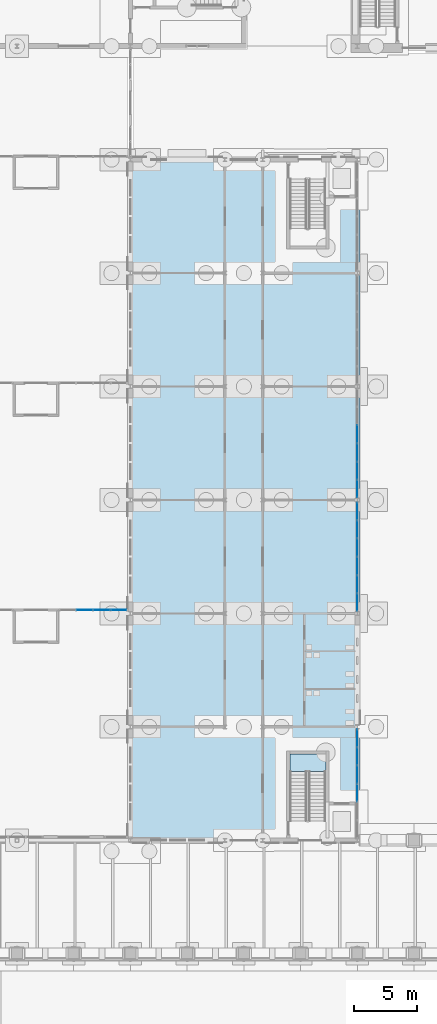
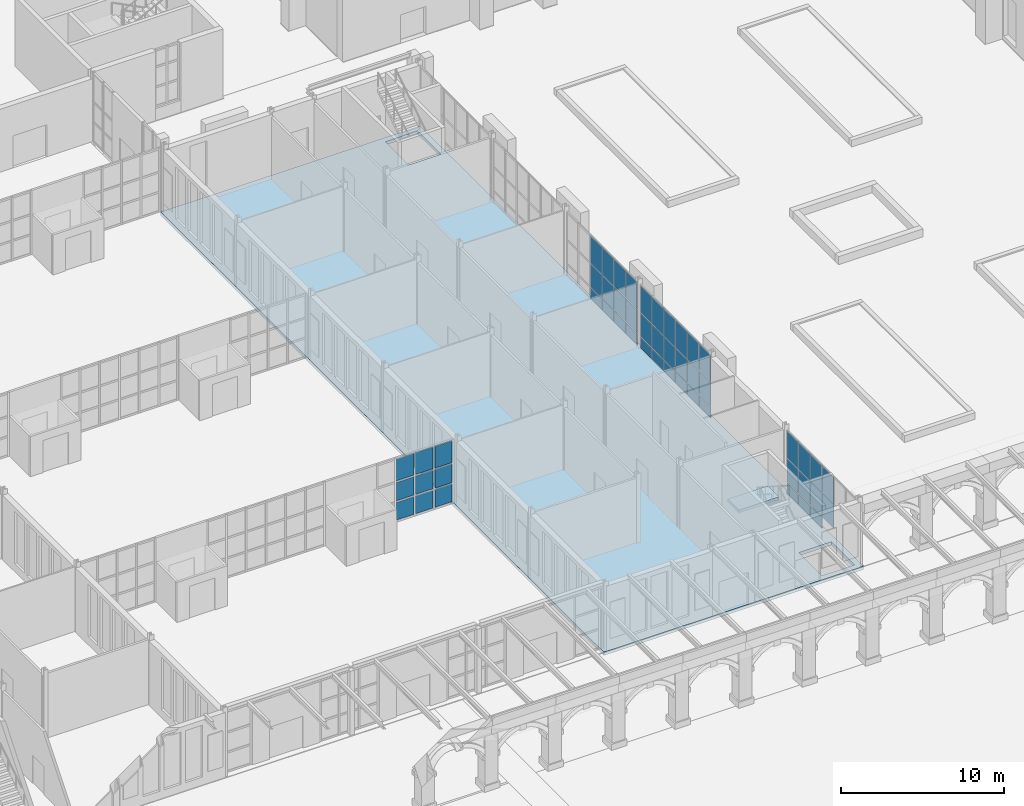
# One storey, part 75 of 168: 50 plates, 2 slabs, 5 elements without a shape of their own.
"""IFC4 building model written with IfcOpenShell, lengths in metres."""

from ifc_helpers import new_model, si_unit, direction, frame, origin, origin_2d, place, context, subcontext, project, spatial, polyline, rectangle, outline, extrude, material, layer, layer_set, type_object, element, aggregate, save


model = new_model("IFC4")

# Units and contexts
model_context = context("Model", 3, precision=1e-05, world=origin(), true_north=direction((0.0, 1.0)))
body_context = subcontext(model_context, "Body", "Model", "MODEL_VIEW")
ifc_project = project(units=[si_unit("LENGTHUNIT", "METRE"), si_unit("AREAUNIT", "SQUARE_METRE"), si_unit("VOLUMEUNIT", "CUBIC_METRE"), si_unit("PLANEANGLEUNIT", "RADIAN"), si_unit("MASSUNIT", "GRAM", prefix="KILO")], contexts=[model_context])

# Site, building, storey
site_placement = place(None, origin())
site = spatial("IfcSite", under=ifc_project, at=site_placement, CompositionType="ELEMENT")
building_placement = place(site_placement, origin())
building = spatial("IfcBuilding", under=site, at=building_placement, Name="Golden Quay Civic Hall", CompositionType="ELEMENT")
storey_placement = place(building_placement, origin())
storey = spatial("IfcBuildingStorey", under=building, at=storey_placement, Name="L00", CompositionType="ELEMENT", Elevation=0.0)

# Stair, slab
ifc_material_1 = material(Name="Concrete C35/45", Category="concrete")
stair_type = type_object("IfcStairType", Name="Concrete stair 1350 wide 30 risers of 180.0", PredefinedType="HALF_TURN_STAIR", material=ifc_material_1)
stair_placement = place(storey_placement, origin())
stair = element("IfcStair", 1, at=stair_placement, inside=storey, type_object=stair_type, Name="L00 Stair EM-S", PredefinedType="HALF_TURN_STAIR")
ifc_material_2 = material(Name="Concrete C35/45", Category="concrete")
ifc_layer_1 = layer(ifc_material_2, 0.199951171875)
ifc_layer_set_1 = layer_set([ifc_layer_1], Name="Concrete stair landing 200, Concrete C35/45")
slab_type_1 = type_object("IfcSlabType", Name="Concrete stair landing 200", PredefinedType="LANDING", material=ifc_layer_set_1)
slab_1_placement = place(storey_placement, frame((0.0, 0.0, 2.5)))
slab_1 = element("IfcSlab", 2, at=slab_1_placement, type_object=slab_type_1, Name="EM-S landing 1", PredefinedType="LANDING", context=body_context, shape_type="SweptSolid", body=[
    extrude(outline(polyline([(114.5, 5.469970703125), (114.5, 6.85009765625), (111.64990234375, 6.85009765625), (111.64990234375, 5.469970703125), (114.5, 5.469970703125)])), origin(), (0.0, 0.0, 1.0), 0.199951171875),
])
aggregate(stair, [slab_1])

# Curtain wall, plates
ifc_material_3 = material(Name="Glass, laminated double glazed", Category="glass")
ifc_layer_2 = layer(ifc_material_3, 0.199951171875)
ifc_layer_set_2 = layer_set([ifc_layer_2], Name="Glazed core strip curtain wall")
curtain_wall_type_1 = type_object("IfcCurtainWallType", Name="Glazed core strip curtain wall", PredefinedType="NOTDEFINED", material=ifc_layer_set_2)
curtain_wall_1_placement = place(storey_placement, origin())
curtain_wall_1 = element("IfcCurtainWall", 3, at=curtain_wall_1_placement, inside=storey, type_object=curtain_wall_type_1, Name="Glazed core strip curtain wall L00 8", PredefinedType="NOTDEFINED")
ifc_material_4 = material(Name="Glass, laminated double glazed", Category="glass")
ifc_layer_3 = layer(ifc_material_4, 0.028076171875)
ifc_layer_set_3 = layer_set([ifc_layer_3], Name="Double glazed curtain wall panel 28")
plate_type_1 = type_object("IfcPlateType", Name="Double glazed curtain wall panel 28", PredefinedType="CURTAIN_PANEL", material=ifc_layer_set_3)
plate_1_placement = place(storey_placement, frame((117.0, 8.1142578125, 0.06005859375), z_axis=(0.0, 0.0, 1.0), x_axis=(0.0, -1.0, 0.0)))
plate_1 = element("IfcPlate", 4, at=plate_1_placement, type_object=plate_type_1, Name="CW2 panel 1.1", PredefinedType="CURTAIN_PANEL", context=body_context, shape_type="SweptSolid", body=[
    extrude(rectangle(XDim=1.361572265625, YDim=0.028076171875, at=origin_2d()), origin(), (0.0, 0.0, 1.0), 0.81005859375),
])
plate_2_placement = place(storey_placement, frame((117.0, 8.1142578125, 0.93017578125), z_axis=(0.0, 0.0, 1.0), x_axis=(0.0, -1.0, 0.0)))
plate_2 = element("IfcPlate", 5, at=plate_2_placement, type_object=plate_type_1, Name="CW2 panel 1.2", PredefinedType="CURTAIN_PANEL", context=body_context, shape_type="SweptSolid", body=[
    extrude(rectangle(XDim=1.361572265625, YDim=0.028076171875, at=origin_2d()), origin(), (0.0, 0.0, 1.0), 1.739990234375),
])
plate_3_placement = place(storey_placement, frame((117.0, 8.1142578125, 2.72998046875), z_axis=(0.0, 0.0, 1.0), x_axis=(0.0, -1.0, 0.0)))
plate_3 = element("IfcPlate", 6, at=plate_3_placement, type_object=plate_type_1, Name="CW2 panel 1.3", PredefinedType="CURTAIN_PANEL", context=body_context, shape_type="SweptSolid", body=[
    extrude(rectangle(XDim=1.361572265625, YDim=0.028076171875, at=origin_2d()), origin(), (0.0, 0.0, 1.0), 2.010009765625),
])
plate_4_placement = place(storey_placement, frame((117.0, 6.677490234375, 0.06005859375), z_axis=(0.0, 0.0, 1.0), x_axis=(0.0, -1.0, 0.0)))
plate_4 = element("IfcPlate", 7, at=plate_4_placement, type_object=plate_type_1, Name="CW2 panel 2.1", PredefinedType="CURTAIN_PANEL", context=body_context, shape_type="SweptSolid", body=[
    extrude(rectangle(XDim=1.3916015625, YDim=0.028076171875, at=origin_2d()), origin(), (0.0, 0.0, 1.0), 0.81005859375),
])
plate_5_placement = place(storey_placement, frame((117.0, 6.677490234375, 0.93017578125), z_axis=(0.0, 0.0, 1.0), x_axis=(0.0, -1.0, 0.0)))
plate_5 = element("IfcPlate", 8, at=plate_5_placement, type_object=plate_type_1, Name="CW2 panel 2.2", PredefinedType="CURTAIN_PANEL", context=body_context, shape_type="SweptSolid", body=[
    extrude(rectangle(XDim=1.3916015625, YDim=0.028076171875, at=origin_2d()), origin(), (0.0, 0.0, 1.0), 1.739990234375),
])
plate_6_placement = place(storey_placement, frame((117.0, 6.677490234375, 2.72998046875), z_axis=(0.0, 0.0, 1.0), x_axis=(0.0, -1.0, 0.0)))
plate_6 = element("IfcPlate", 9, at=plate_6_placement, type_object=plate_type_1, Name="CW2 panel 2.3", PredefinedType="CURTAIN_PANEL", context=body_context, shape_type="SweptSolid", body=[
    extrude(rectangle(XDim=1.3916015625, YDim=0.028076171875, at=origin_2d()), origin(), (0.0, 0.0, 1.0), 2.010009765625),
])
plate_7_placement = place(storey_placement, frame((117.0, 5.225830078125, 0.06005859375), z_axis=(0.0, 0.0, 1.0), x_axis=(0.0, -1.0, 0.0)))
plate_7 = element("IfcPlate", 10, at=plate_7_placement, type_object=plate_type_1, Name="CW2 panel 3.1", PredefinedType="CURTAIN_PANEL", context=body_context, shape_type="SweptSolid", body=[
    extrude(rectangle(XDim=1.3916015625, YDim=0.028076171875, at=origin_2d()), origin(), (0.0, 0.0, 1.0), 0.81005859375),
])
plate_8_placement = place(storey_placement, frame((117.0, 5.225830078125, 0.93017578125), z_axis=(0.0, 0.0, 1.0), x_axis=(0.0, -1.0, 0.0)))
plate_8 = element("IfcPlate", 11, at=plate_8_placement, type_object=plate_type_1, Name="CW2 panel 3.2", PredefinedType="CURTAIN_PANEL", context=body_context, shape_type="SweptSolid", body=[
    extrude(rectangle(XDim=1.3916015625, YDim=0.028076171875, at=origin_2d()), origin(), (0.0, 0.0, 1.0), 1.739990234375),
])
plate_9_placement = place(storey_placement, frame((117.0, 5.225830078125, 2.72998046875), z_axis=(0.0, 0.0, 1.0), x_axis=(0.0, -1.0, 0.0)))
plate_9 = element("IfcPlate", 12, at=plate_9_placement, type_object=plate_type_1, Name="CW2 panel 3.3", PredefinedType="CURTAIN_PANEL", context=body_context, shape_type="SweptSolid", body=[
    extrude(rectangle(XDim=1.3916015625, YDim=0.028076171875, at=origin_2d()), origin(), (0.0, 0.0, 1.0), 2.010009765625),
])
plate_10_placement = place(storey_placement, frame((117.0, 3.774169921875, 0.93017578125), z_axis=(0.0, 0.0, 1.0), x_axis=(0.0, -1.0, 0.0)))
plate_10 = element("IfcPlate", 13, at=plate_10_placement, type_object=plate_type_1, Name="CW2 panel 4.2", PredefinedType="CURTAIN_PANEL", context=body_context, shape_type="SweptSolid", body=[
    extrude(rectangle(XDim=1.3916015625, YDim=0.028076171875, at=origin_2d()), origin(), (0.0, 0.0, 1.0), 1.739990234375),
])
plate_11_placement = place(storey_placement, frame((117.0, 3.774169921875, 2.72998046875), z_axis=(0.0, 0.0, 1.0), x_axis=(0.0, -1.0, 0.0)))
plate_11 = element("IfcPlate", 14, at=plate_11_placement, type_object=plate_type_1, Name="CW2 panel 4.3", PredefinedType="CURTAIN_PANEL", context=body_context, shape_type="SweptSolid", body=[
    extrude(rectangle(XDim=1.3916015625, YDim=0.028076171875, at=origin_2d()), origin(), (0.0, 0.0, 1.0), 2.010009765625),
])
aggregate(curtain_wall_1, [plate_1, plate_2, plate_3, plate_4, plate_5, plate_6, plate_7, plate_8, plate_9, plate_10, plate_11])

curtain_wall_2_placement = place(storey_placement, origin())
curtain_wall_2 = element("IfcCurtainWall", 15, at=curtain_wall_2_placement, inside=storey, type_object=curtain_wall_type_1, Name="Glazed core strip curtain wall L00 9", PredefinedType="NOTDEFINED")
plate_12_placement = place(storey_placement, frame((117.0, 26.1142578125, 0.06005859375), z_axis=(0.0, 0.0, 1.0), x_axis=(0.0, -1.0, 0.0)))
plate_12 = element("IfcPlate", 16, at=plate_12_placement, type_object=plate_type_1, Name="CW2 panel 1.1", PredefinedType="CURTAIN_PANEL", context=body_context, shape_type="SweptSolid", body=[
    extrude(rectangle(XDim=1.361572265625, YDim=0.028076171875, at=origin_2d()), origin(), (0.0, 0.0, 1.0), 0.81005859375),
])
plate_13_placement = place(storey_placement, frame((117.0, 26.1142578125, 0.93017578125), z_axis=(0.0, 0.0, 1.0), x_axis=(0.0, -1.0, 0.0)))
plate_13 = element("IfcPlate", 17, at=plate_13_placement, type_object=plate_type_1, Name="CW2 panel 1.2", PredefinedType="CURTAIN_PANEL", context=body_context, shape_type="SweptSolid", body=[
    extrude(rectangle(XDim=1.361572265625, YDim=0.028076171875, at=origin_2d()), origin(), (0.0, 0.0, 1.0), 1.739990234375),
])
plate_14_placement = place(storey_placement, frame((117.0, 26.1142578125, 2.72998046875), z_axis=(0.0, 0.0, 1.0), x_axis=(0.0, -1.0, 0.0)))
plate_14 = element("IfcPlate", 18, at=plate_14_placement, type_object=plate_type_1, Name="CW2 panel 1.3", PredefinedType="CURTAIN_PANEL", context=body_context, shape_type="SweptSolid", body=[
    extrude(rectangle(XDim=1.361572265625, YDim=0.028076171875, at=origin_2d()), origin(), (0.0, 0.0, 1.0), 2.010009765625),
])
plate_15_placement = place(storey_placement, frame((117.0, 24.677490234375, 0.06005859375), z_axis=(0.0, 0.0, 1.0), x_axis=(0.0, -1.0, 0.0)))
plate_15 = element("IfcPlate", 19, at=plate_15_placement, type_object=plate_type_1, Name="CW2 panel 2.1", PredefinedType="CURTAIN_PANEL", context=body_context, shape_type="SweptSolid", body=[
    extrude(rectangle(XDim=1.3916015625, YDim=0.028076171875, at=origin_2d()), origin(), (0.0, 0.0, 1.0), 0.81005859375),
])
plate_16_placement = place(storey_placement, frame((117.0, 24.677490234375, 0.93017578125), z_axis=(0.0, 0.0, 1.0), x_axis=(0.0, -1.0, 0.0)))
plate_16 = element("IfcPlate", 20, at=plate_16_placement, type_object=plate_type_1, Name="CW2 panel 2.2", PredefinedType="CURTAIN_PANEL", context=body_context, shape_type="SweptSolid", body=[
    extrude(rectangle(XDim=1.3916015625, YDim=0.028076171875, at=origin_2d()), origin(), (0.0, 0.0, 1.0), 1.739990234375),
])
plate_17_placement = place(storey_placement, frame((117.0, 24.677490234375, 2.72998046875), z_axis=(0.0, 0.0, 1.0), x_axis=(0.0, -1.0, 0.0)))
plate_17 = element("IfcPlate", 21, at=plate_17_placement, type_object=plate_type_1, Name="CW2 panel 2.3", PredefinedType="CURTAIN_PANEL", context=body_context, shape_type="SweptSolid", body=[
    extrude(rectangle(XDim=1.3916015625, YDim=0.028076171875, at=origin_2d()), origin(), (0.0, 0.0, 1.0), 2.010009765625),
])
plate_18_placement = place(storey_placement, frame((117.0, 23.225830078125, 0.06005859375), z_axis=(0.0, 0.0, 1.0), x_axis=(0.0, -1.0, 0.0)))
plate_18 = element("IfcPlate", 22, at=plate_18_placement, type_object=plate_type_1, Name="CW2 panel 3.1", PredefinedType="CURTAIN_PANEL", context=body_context, shape_type="SweptSolid", body=[
    extrude(rectangle(XDim=1.3916015625, YDim=0.028076171875, at=origin_2d()), origin(), (0.0, 0.0, 1.0), 0.81005859375),
])
plate_19_placement = place(storey_placement, frame((117.0, 23.225830078125, 0.93017578125), z_axis=(0.0, 0.0, 1.0), x_axis=(0.0, -1.0, 0.0)))
plate_19 = element("IfcPlate", 23, at=plate_19_placement, type_object=plate_type_1, Name="CW2 panel 3.2", PredefinedType="CURTAIN_PANEL", context=body_context, shape_type="SweptSolid", body=[
    extrude(rectangle(XDim=1.3916015625, YDim=0.028076171875, at=origin_2d()), origin(), (0.0, 0.0, 1.0), 1.739990234375),
])
plate_20_placement = place(storey_placement, frame((117.0, 23.225830078125, 2.72998046875), z_axis=(0.0, 0.0, 1.0), x_axis=(0.0, -1.0, 0.0)))
plate_20 = element("IfcPlate", 24, at=plate_20_placement, type_object=plate_type_1, Name="CW2 panel 3.3", PredefinedType="CURTAIN_PANEL", context=body_context, shape_type="SweptSolid", body=[
    extrude(rectangle(XDim=1.3916015625, YDim=0.028076171875, at=origin_2d()), origin(), (0.0, 0.0, 1.0), 2.010009765625),
])
plate_21_placement = place(storey_placement, frame((117.0, 21.774169921875, 0.06005859375), z_axis=(0.0, 0.0, 1.0), x_axis=(0.0, -1.0, 0.0)))
plate_21 = element("IfcPlate", 25, at=plate_21_placement, type_object=plate_type_1, Name="CW2 panel 4.1", PredefinedType="CURTAIN_PANEL", context=body_context, shape_type="SweptSolid", body=[
    extrude(rectangle(XDim=1.3916015625, YDim=0.028076171875, at=origin_2d()), origin(), (0.0, 0.0, 1.0), 0.81005859375),
])
plate_22_placement = place(storey_placement, frame((117.0, 21.774169921875, 0.93017578125), z_axis=(0.0, 0.0, 1.0), x_axis=(0.0, -1.0, 0.0)))
plate_22 = element("IfcPlate", 26, at=plate_22_placement, type_object=plate_type_1, Name="CW2 panel 4.2", PredefinedType="CURTAIN_PANEL", context=body_context, shape_type="SweptSolid", body=[
    extrude(rectangle(XDim=1.3916015625, YDim=0.028076171875, at=origin_2d()), origin(), (0.0, 0.0, 1.0), 1.739990234375),
])
plate_23_placement = place(storey_placement, frame((117.0, 21.774169921875, 2.72998046875), z_axis=(0.0, 0.0, 1.0), x_axis=(0.0, -1.0, 0.0)))
plate_23 = element("IfcPlate", 27, at=plate_23_placement, type_object=plate_type_1, Name="CW2 panel 4.3", PredefinedType="CURTAIN_PANEL", context=body_context, shape_type="SweptSolid", body=[
    extrude(rectangle(XDim=1.3916015625, YDim=0.028076171875, at=origin_2d()), origin(), (0.0, 0.0, 1.0), 2.010009765625),
])
plate_24_placement = place(storey_placement, frame((117.0, 20.322509765625, 0.06005859375), z_axis=(0.0, 0.0, 1.0), x_axis=(0.0, -1.0, 0.0)))
plate_24 = element("IfcPlate", 28, at=plate_24_placement, type_object=plate_type_1, Name="CW2 panel 5.1", PredefinedType="CURTAIN_PANEL", context=body_context, shape_type="SweptSolid", body=[
    extrude(rectangle(XDim=1.3916015625, YDim=0.028076171875, at=origin_2d()), origin(), (0.0, 0.0, 1.0), 0.81005859375),
])
plate_25_placement = place(storey_placement, frame((117.0, 20.322509765625, 0.93017578125), z_axis=(0.0, 0.0, 1.0), x_axis=(0.0, -1.0, 0.0)))
plate_25 = element("IfcPlate", 29, at=plate_25_placement, type_object=plate_type_1, Name="CW2 panel 5.2", PredefinedType="CURTAIN_PANEL", context=body_context, shape_type="SweptSolid", body=[
    extrude(rectangle(XDim=1.3916015625, YDim=0.028076171875, at=origin_2d()), origin(), (0.0, 0.0, 1.0), 1.739990234375),
])
plate_26_placement = place(storey_placement, frame((117.0, 20.322509765625, 2.72998046875), z_axis=(0.0, 0.0, 1.0), x_axis=(0.0, -1.0, 0.0)))
plate_26 = element("IfcPlate", 30, at=plate_26_placement, type_object=plate_type_1, Name="CW2 panel 5.3", PredefinedType="CURTAIN_PANEL", context=body_context, shape_type="SweptSolid", body=[
    extrude(rectangle(XDim=1.3916015625, YDim=0.028076171875, at=origin_2d()), origin(), (0.0, 0.0, 1.0), 2.010009765625),
])
plate_27_placement = place(storey_placement, frame((117.0, 18.8857421875, 0.06005859375), z_axis=(0.0, 0.0, 1.0), x_axis=(0.0, -1.0, 0.0)))
plate_27 = element("IfcPlate", 31, at=plate_27_placement, type_object=plate_type_1, Name="CW2 panel 6.1", PredefinedType="CURTAIN_PANEL", context=body_context, shape_type="SweptSolid", body=[
    extrude(rectangle(XDim=1.361572265625, YDim=0.028076171875, at=origin_2d()), origin(), (0.0, 0.0, 1.0), 0.81005859375),
])
plate_28_placement = place(storey_placement, frame((117.0, 18.8857421875, 0.93017578125), z_axis=(0.0, 0.0, 1.0), x_axis=(0.0, -1.0, 0.0)))
plate_28 = element("IfcPlate", 32, at=plate_28_placement, type_object=plate_type_1, Name="CW2 panel 6.2", PredefinedType="CURTAIN_PANEL", context=body_context, shape_type="SweptSolid", body=[
    extrude(rectangle(XDim=1.361572265625, YDim=0.028076171875, at=origin_2d()), origin(), (0.0, 0.0, 1.0), 1.739990234375),
])
plate_29_placement = place(storey_placement, frame((117.0, 18.8857421875, 2.72998046875), z_axis=(0.0, 0.0, 1.0), x_axis=(0.0, -1.0, 0.0)))
plate_29 = element("IfcPlate", 33, at=plate_29_placement, type_object=plate_type_1, Name="CW2 panel 6.3", PredefinedType="CURTAIN_PANEL", context=body_context, shape_type="SweptSolid", body=[
    extrude(rectangle(XDim=1.361572265625, YDim=0.028076171875, at=origin_2d()), origin(), (0.0, 0.0, 1.0), 2.010009765625),
])
aggregate(curtain_wall_2, [plate_12, plate_13, plate_14, plate_15, plate_16, plate_17, plate_18, plate_19, plate_20, plate_21, plate_22, plate_23, plate_24, plate_25, plate_26, plate_27, plate_28, plate_29])

curtain_wall_3_placement = place(storey_placement, origin())
curtain_wall_3 = element("IfcCurtainWall", 34, at=curtain_wall_3_placement, inside=storey, type_object=curtain_wall_type_1, Name="Glazed core strip curtain wall L00 10", PredefinedType="NOTDEFINED")
plate_30_placement = place(storey_placement, frame((117.0, 32.225830078125, 0.06005859375), z_axis=(0.0, 0.0, 1.0), x_axis=(0.0, -1.0, 0.0)))
plate_30 = element("IfcPlate", 35, at=plate_30_placement, type_object=plate_type_1, Name="CW2 panel 3.1", PredefinedType="CURTAIN_PANEL", context=body_context, shape_type="SweptSolid", body=[
    extrude(rectangle(XDim=1.3916015625, YDim=0.028076171875, at=origin_2d()), origin(), (0.0, 0.0, 1.0), 0.81005859375),
])
plate_31_placement = place(storey_placement, frame((117.0, 32.225830078125, 0.93017578125), z_axis=(0.0, 0.0, 1.0), x_axis=(0.0, -1.0, 0.0)))
plate_31 = element("IfcPlate", 36, at=plate_31_placement, type_object=plate_type_1, Name="CW2 panel 3.2", PredefinedType="CURTAIN_PANEL", context=body_context, shape_type="SweptSolid", body=[
    extrude(rectangle(XDim=1.3916015625, YDim=0.028076171875, at=origin_2d()), origin(), (0.0, 0.0, 1.0), 1.739990234375),
])
plate_32_placement = place(storey_placement, frame((117.0, 32.225830078125, 2.72998046875), z_axis=(0.0, 0.0, 1.0), x_axis=(0.0, -1.0, 0.0)))
plate_32 = element("IfcPlate", 37, at=plate_32_placement, type_object=plate_type_1, Name="CW2 panel 3.3", PredefinedType="CURTAIN_PANEL", context=body_context, shape_type="SweptSolid", body=[
    extrude(rectangle(XDim=1.3916015625, YDim=0.028076171875, at=origin_2d()), origin(), (0.0, 0.0, 1.0), 2.010009765625),
])
plate_33_placement = place(storey_placement, frame((117.0, 30.774169921875, 0.06005859375), z_axis=(0.0, 0.0, 1.0), x_axis=(0.0, -1.0, 0.0)))
plate_33 = element("IfcPlate", 38, at=plate_33_placement, type_object=plate_type_1, Name="CW2 panel 4.1", PredefinedType="CURTAIN_PANEL", context=body_context, shape_type="SweptSolid", body=[
    extrude(rectangle(XDim=1.3916015625, YDim=0.028076171875, at=origin_2d()), origin(), (0.0, 0.0, 1.0), 0.81005859375),
])
plate_34_placement = place(storey_placement, frame((117.0, 30.774169921875, 0.93017578125), z_axis=(0.0, 0.0, 1.0), x_axis=(0.0, -1.0, 0.0)))
plate_34 = element("IfcPlate", 39, at=plate_34_placement, type_object=plate_type_1, Name="CW2 panel 4.2", PredefinedType="CURTAIN_PANEL", context=body_context, shape_type="SweptSolid", body=[
    extrude(rectangle(XDim=1.3916015625, YDim=0.028076171875, at=origin_2d()), origin(), (0.0, 0.0, 1.0), 1.739990234375),
])
plate_35_placement = place(storey_placement, frame((117.0, 30.774169921875, 2.72998046875), z_axis=(0.0, 0.0, 1.0), x_axis=(0.0, -1.0, 0.0)))
plate_35 = element("IfcPlate", 40, at=plate_35_placement, type_object=plate_type_1, Name="CW2 panel 4.3", PredefinedType="CURTAIN_PANEL", context=body_context, shape_type="SweptSolid", body=[
    extrude(rectangle(XDim=1.3916015625, YDim=0.028076171875, at=origin_2d()), origin(), (0.0, 0.0, 1.0), 2.010009765625),
])
plate_36_placement = place(storey_placement, frame((117.0, 29.322509765625, 0.06005859375), z_axis=(0.0, 0.0, 1.0), x_axis=(0.0, -1.0, 0.0)))
plate_36 = element("IfcPlate", 41, at=plate_36_placement, type_object=plate_type_1, Name="CW2 panel 5.1", PredefinedType="CURTAIN_PANEL", context=body_context, shape_type="SweptSolid", body=[
    extrude(rectangle(XDim=1.3916015625, YDim=0.028076171875, at=origin_2d()), origin(), (0.0, 0.0, 1.0), 0.81005859375),
])
plate_37_placement = place(storey_placement, frame((117.0, 29.322509765625, 0.93017578125), z_axis=(0.0, 0.0, 1.0), x_axis=(0.0, -1.0, 0.0)))
plate_37 = element("IfcPlate", 42, at=plate_37_placement, type_object=plate_type_1, Name="CW2 panel 5.2", PredefinedType="CURTAIN_PANEL", context=body_context, shape_type="SweptSolid", body=[
    extrude(rectangle(XDim=1.3916015625, YDim=0.028076171875, at=origin_2d()), origin(), (0.0, 0.0, 1.0), 1.739990234375),
])
plate_38_placement = place(storey_placement, frame((117.0, 29.322509765625, 2.72998046875), z_axis=(0.0, 0.0, 1.0), x_axis=(0.0, -1.0, 0.0)))
plate_38 = element("IfcPlate", 43, at=plate_38_placement, type_object=plate_type_1, Name="CW2 panel 5.3", PredefinedType="CURTAIN_PANEL", context=body_context, shape_type="SweptSolid", body=[
    extrude(rectangle(XDim=1.3916015625, YDim=0.028076171875, at=origin_2d()), origin(), (0.0, 0.0, 1.0), 2.010009765625),
])
plate_39_placement = place(storey_placement, frame((117.0, 27.8857421875, 0.06005859375), z_axis=(0.0, 0.0, 1.0), x_axis=(0.0, -1.0, 0.0)))
plate_39 = element("IfcPlate", 44, at=plate_39_placement, type_object=plate_type_1, Name="CW2 panel 6.1", PredefinedType="CURTAIN_PANEL", context=body_context, shape_type="SweptSolid", body=[
    extrude(rectangle(XDim=1.361572265625, YDim=0.028076171875, at=origin_2d()), origin(), (0.0, 0.0, 1.0), 0.81005859375),
])
plate_40_placement = place(storey_placement, frame((117.0, 27.8857421875, 0.93017578125), z_axis=(0.0, 0.0, 1.0), x_axis=(0.0, -1.0, 0.0)))
plate_40 = element("IfcPlate", 45, at=plate_40_placement, type_object=plate_type_1, Name="CW2 panel 6.2", PredefinedType="CURTAIN_PANEL", context=body_context, shape_type="SweptSolid", body=[
    extrude(rectangle(XDim=1.361572265625, YDim=0.028076171875, at=origin_2d()), origin(), (0.0, 0.0, 1.0), 1.739990234375),
])
plate_41_placement = place(storey_placement, frame((117.0, 27.8857421875, 2.72998046875), z_axis=(0.0, 0.0, 1.0), x_axis=(0.0, -1.0, 0.0)))
plate_41 = element("IfcPlate", 46, at=plate_41_placement, type_object=plate_type_1, Name="CW2 panel 6.3", PredefinedType="CURTAIN_PANEL", context=body_context, shape_type="SweptSolid", body=[
    extrude(rectangle(XDim=1.361572265625, YDim=0.028076171875, at=origin_2d()), origin(), (0.0, 0.0, 1.0), 2.010009765625),
])
aggregate(curtain_wall_3, [plate_30, plate_31, plate_32, plate_33, plate_34, plate_35, plate_36, plate_37, plate_38, plate_39, plate_40, plate_41])

ifc_material_5 = material(Name="Fire-resisting glass and steel", Category="steel")
curtain_wall_type_2 = type_object("IfcCurtainWallType", Name="Fire-resisting glazed curtain wall EI 120", PredefinedType="NOTDEFINED", material=ifc_material_5)
curtain_wall_4_placement = place(storey_placement, origin())
curtain_wall_4 = element("IfcCurtainWall", 47, at=curtain_wall_4_placement, inside=storey, type_object=curtain_wall_type_2, Name="CW3 curtain wall", PredefinedType="NOTDEFINED")
ifc_material_6 = material(Name="Fire-resisting laminated glass", Category="glass")
ifc_layer_4 = layer(ifc_material_6, 0.0400390625)
ifc_layer_set_4 = layer_set([ifc_layer_4], Name="Fire-resisting glazed panel 40")
plate_type_2 = type_object("IfcPlateType", Name="Fire-resisting glazed panel 40", PredefinedType="CURTAIN_PANEL", material=ifc_layer_set_4)
plate_42_placement = place(storey_placement, frame((95.362548828125, 18.27001953125, 0.1201171875), z_axis=(0.0, 0.0, 1.0), x_axis=(1.0, 0.0, 0.0)))
plate_42 = element("IfcPlate", 48, at=plate_42_placement, type_object=plate_type_2, Name="CW3 panel 2.1", PredefinedType="CURTAIN_PANEL", context=body_context, shape_type="SweptSolid", body=[
    extrude(rectangle(XDim=1.2548828125, YDim=0.0400390625, at=origin_2d()), origin(), (0.0, 0.0, 1.0), 1.320068359375),
])
plate_43_placement = place(storey_placement, frame((95.362548828125, 18.27001953125, 1.56005859375), z_axis=(0.0, 0.0, 1.0), x_axis=(1.0, 0.0, 0.0)))
plate_43 = element("IfcPlate", 49, at=plate_43_placement, type_object=plate_type_2, Name="CW3 panel 2.2", PredefinedType="CURTAIN_PANEL", context=body_context, shape_type="SweptSolid", body=[
    extrude(rectangle(XDim=1.2548828125, YDim=0.0400390625, at=origin_2d()), origin(), (0.0, 0.0, 1.0), 1.3798828125),
])
plate_44_placement = place(storey_placement, frame((95.362548828125, 18.27001953125, 3.06005859375), z_axis=(0.0, 0.0, 1.0), x_axis=(1.0, 0.0, 0.0)))
plate_44 = element("IfcPlate", 50, at=plate_44_placement, type_object=plate_type_2, Name="CW3 panel 2.3", PredefinedType="CURTAIN_PANEL", context=body_context, shape_type="SweptSolid", body=[
    extrude(rectangle(XDim=1.2548828125, YDim=0.0400390625, at=origin_2d()), origin(), (0.0, 0.0, 1.0), 1.6201171875),
])
plate_45_placement = place(storey_placement, frame((96.737548828125, 18.27001953125, 0.1201171875), z_axis=(0.0, 0.0, 1.0), x_axis=(1.0, 0.0, 0.0)))
plate_45 = element("IfcPlate", 51, at=plate_45_placement, type_object=plate_type_2, Name="CW3 panel 3.1", PredefinedType="CURTAIN_PANEL", context=body_context, shape_type="SweptSolid", body=[
    extrude(rectangle(XDim=1.2548828125, YDim=0.0400390625, at=origin_2d()), origin(), (0.0, 0.0, 1.0), 1.320068359375),
])
plate_46_placement = place(storey_placement, frame((96.737548828125, 18.27001953125, 1.56005859375), z_axis=(0.0, 0.0, 1.0), x_axis=(1.0, 0.0, 0.0)))
plate_46 = element("IfcPlate", 52, at=plate_46_placement, type_object=plate_type_2, Name="CW3 panel 3.2", PredefinedType="CURTAIN_PANEL", context=body_context, shape_type="SweptSolid", body=[
    extrude(rectangle(XDim=1.2548828125, YDim=0.0400390625, at=origin_2d()), origin(), (0.0, 0.0, 1.0), 1.3798828125),
])
plate_47_placement = place(storey_placement, frame((96.737548828125, 18.27001953125, 3.06005859375), z_axis=(0.0, 0.0, 1.0), x_axis=(1.0, 0.0, 0.0)))
plate_47 = element("IfcPlate", 53, at=plate_47_placement, type_object=plate_type_2, Name="CW3 panel 3.3", PredefinedType="CURTAIN_PANEL", context=body_context, shape_type="SweptSolid", body=[
    extrude(rectangle(XDim=1.2548828125, YDim=0.0400390625, at=origin_2d()), origin(), (0.0, 0.0, 1.0), 1.6201171875),
])
plate_48_placement = place(storey_placement, frame((98.08251953125, 18.27001953125, 0.1201171875), z_axis=(0.0, 0.0, 1.0), x_axis=(1.0, 0.0, 0.0)))
plate_48 = element("IfcPlate", 54, at=plate_48_placement, type_object=plate_type_2, Name="CW3 panel 4.1", PredefinedType="CURTAIN_PANEL", context=body_context, shape_type="SweptSolid", body=[
    extrude(rectangle(XDim=1.195068359375, YDim=0.0400390625, at=origin_2d()), origin(), (0.0, 0.0, 1.0), 1.320068359375),
])
plate_49_placement = place(storey_placement, frame((98.08251953125, 18.27001953125, 1.56005859375), z_axis=(0.0, 0.0, 1.0), x_axis=(1.0, 0.0, 0.0)))
plate_49 = element("IfcPlate", 55, at=plate_49_placement, type_object=plate_type_2, Name="CW3 panel 4.2", PredefinedType="CURTAIN_PANEL", context=body_context, shape_type="SweptSolid", body=[
    extrude(rectangle(XDim=1.195068359375, YDim=0.0400390625, at=origin_2d()), origin(), (0.0, 0.0, 1.0), 1.3798828125),
])
plate_50_placement = place(storey_placement, frame((98.08251953125, 18.27001953125, 3.06005859375), z_axis=(0.0, 0.0, 1.0), x_axis=(1.0, 0.0, 0.0)))
plate_50 = element("IfcPlate", 56, at=plate_50_placement, type_object=plate_type_2, Name="CW3 panel 4.3", PredefinedType="CURTAIN_PANEL", context=body_context, shape_type="SweptSolid", body=[
    extrude(rectangle(XDim=1.195068359375, YDim=0.0400390625, at=origin_2d()), origin(), (0.0, 0.0, 1.0), 1.6201171875),
])
aggregate(curtain_wall_4, [plate_42, plate_43, plate_44, plate_45, plate_46, plate_47, plate_48, plate_49, plate_50])

# Slab
ifc_material_7 = material(Name="Concrete C35/45", Category="concrete")
ifc_layer_5 = layer(ifc_material_7, 0.25)
ifc_layer_set_5 = layer_set([ifc_layer_5], Name="Ground slab 250")
slab_type_2 = type_object("IfcSlabType", Name="Ground slab 250", PredefinedType="BASESLAB", material=ifc_layer_set_5)
slab_2_placement = place(storey_placement, frame((0.0, 0.0, -0.25)))
element("IfcSlab", 57, at=slab_2_placement, inside=storey, type_object=slab_type_2, Name="EM ground slab", PredefinedType="BASESLAB", context=body_context, shape_type="SweptSolid", body=[
    extrude(outline(polyline([(98.800048828125, -0.199951171875), (98.800048828125, 0.0), (98.800048828125, 54.199951171875), (117.199951171875, 54.199951171875), (117.199951171875, -0.199951171875), (98.800048828125, -0.199951171875)]), holes=[polyline([(116.800048828125, 3.050048828125), (114.75, 3.050048828125), (114.5, 3.050048828125), (114.5, 0.199951171875), (114.75, 0.199951171875), (116.800048828125, 0.199951171875), (116.800048828125, 2.800048828125), (116.800048828125, 3.050048828125)]), polyline([(116.800048828125, 51.199951171875), (116.800048828125, 53.800048828125), (114.75, 53.800048828125), (114.5, 53.800048828125), (114.5, 50.949951171875), (114.75, 50.949951171875), (116.800048828125, 50.949951171875), (116.800048828125, 51.199951171875)])]), origin(), (0.0, 0.0, 1.0), 0.25),
])

save(model, "model.ifc")
